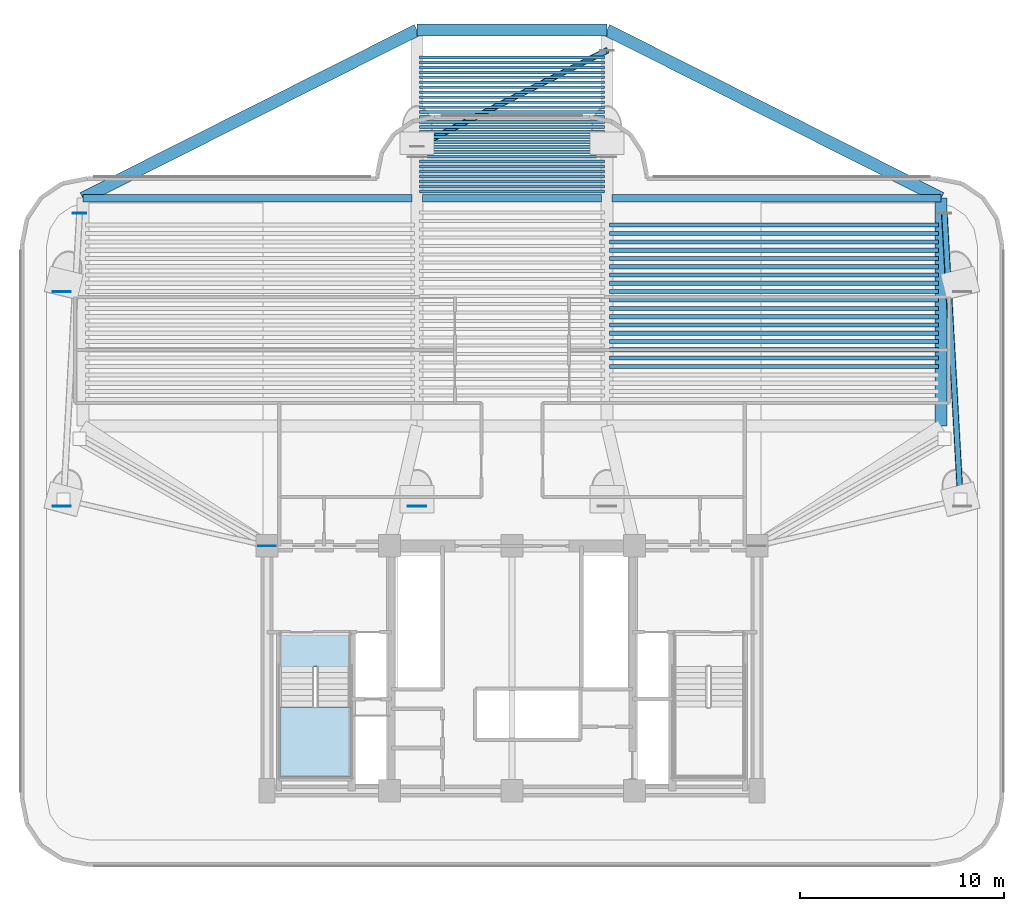
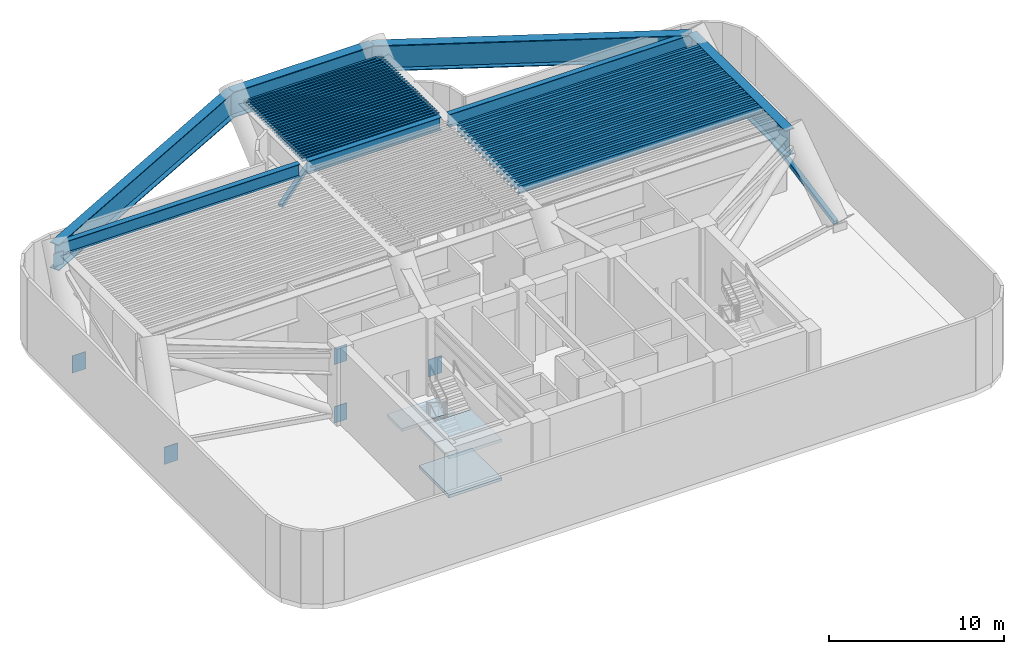
# One storey, part 2 of 11: 53 beams, 6 plates, 3 slabs, 2 members, 1 element without a shape of its own.
"""IFC4 building model written with IfcOpenShell, lengths in metres."""

import ifcopenshell
import ifcopenshell.guid

model = None  # the IFC model being written
_history = None  # IfcOwnerHistory: only IFC2X3 demands one
_inside = {}  # id of a spatial element -> (the spatial element, [elements in it])
_under = {}  # id of a project, library or spatial element -> (it, [spatial elements below it])
_declared = {}  # id of a project -> (the project, [libraries it declares])
_typed = {}  # id of a type object -> (the type object, [elements of that type])
_made_of = {}  # id of a material, layer set ... -> (it, [elements and type objects made of it])


def new_model(schema):
    """Start an empty IFC model of exactly this schema.

    Asked for "IFC4X3", IfcOpenShell would pick the latest addendum, in which some entities
    have other attributes; the version numbers below select the first issue.
    IFC2X3 requires an IfcOwnerHistory on every rooted entity: one is made here for all.
    """
    global model, _history
    if schema == "IFC4X3":
        model = ifcopenshell.file(schema_version=(4, 3, 0, 0))
    else:
        model = ifcopenshell.file(schema=schema)
    _inside.clear()
    _under.clear()
    _declared.clear()
    _typed.clear()
    _made_of.clear()
    _history = None
    if model.schema == "IFC2X3":
        org = make("IfcOrganization", Name="unknown")
        user = make(
            "IfcPersonAndOrganization",
            ThePerson=make("IfcPerson", FamilyName="unknown"),
            TheOrganization=org,
        )
        app = make(
            "IfcApplication",
            ApplicationDeveloper=org,
            Version="unknown",
            ApplicationFullName="unknown",
            ApplicationIdentifier="unknown",
        )
        _history = make(
            "IfcOwnerHistory",
            OwningUser=user,
            OwningApplication=app,
            ChangeAction="ADDED",
            CreationDate=0,
        )
    return model


def make(cls, **values):
    """One entity of the class cls with the attributes given. An attribute that is None is left unset."""
    return model.create_entity(
        cls, **{name: value for name, value in values.items() if value is not None}
    )


def rooted(cls, **values):
    """An entity with a GlobalId (a new one), such as an element, a storey or a relation."""
    return make(cls, GlobalId=ifcopenshell.guid.new(), OwnerHistory=_history, **values)


def si_unit(unit_type, name, prefix=None):
    """IfcSIUnit, for example si_unit("LENGTHUNIT", "METRE", prefix="MILLI")."""
    return make("IfcSIUnit", UnitType=unit_type, Prefix=prefix, Name=name)


def assignment(units):
    """IfcUnitAssignment: the units of a project."""
    return None if units is None else make("IfcUnitAssignment", Units=units)


def point(xyz):
    """IfcCartesianPoint."""
    return None if xyz is None else make("IfcCartesianPoint", Coordinates=xyz)


def direction(xyz):
    """IfcDirection."""
    return None if xyz is None else make("IfcDirection", DirectionRatios=xyz)


def frame(location, z_axis=None, x_axis=None):
    """IfcAxis2Placement3D, a coordinate frame: its origin and axes. An axis left out is left unset."""
    return make(
        "IfcAxis2Placement3D",
        Location=point(location),
        Axis=direction(z_axis),
        RefDirection=direction(x_axis),
    )


def frame_2d(location, x_axis=None):
    """IfcAxis2Placement2D, a coordinate frame in the plane: its origin and x axis."""
    return make(
        "IfcAxis2Placement2D", Location=point(location), RefDirection=direction(x_axis)
    )


def origin():
    """The frame at (0, 0, 0) with its axes left unset."""
    return frame((0.0, 0.0, 0.0))


def origin_2d():
    """The frame at (0, 0) in the plane with its x axis left unset."""
    return frame_2d((0.0, 0.0))


def place(relative_to, where):
    """IfcLocalPlacement: puts the frame where relative to a parent placement (None: the world)."""
    return make(
        "IfcLocalPlacement", PlacementRelTo=relative_to, RelativePlacement=where
    )


def context(
    kind, dimensions, precision=None, world=None, true_north=None, identifier=None
):
    """IfcGeometricRepresentationContext, for example the 3D "Model" context."""
    return make(
        "IfcGeometricRepresentationContext",
        ContextIdentifier=identifier,
        ContextType=kind,
        CoordinateSpaceDimension=dimensions,
        Precision=precision,
        WorldCoordinateSystem=world,
        TrueNorth=true_north,
    )


def subcontext(parent, identifier, kind, view, scale=None):
    """IfcGeometricRepresentationSubContext, for example "Body" below "Model"."""
    return make(
        "IfcGeometricRepresentationSubContext",
        ContextIdentifier=identifier,
        ContextType=kind,
        ParentContext=parent,
        TargetScale=scale,
        TargetView=view,
    )


def project(units=None, contexts=None):
    """IfcProject with its units and contexts."""
    return rooted(
        "IfcProject",
        Name="project",
        RepresentationContexts=contexts,
        UnitsInContext=assignment(units),
    )


def spatial(cls, under=None, at=None, **own):
    """A site, building, storey or space (cls), placed at a placement, below another one or the project."""
    s = rooted(cls, ObjectPlacement=at, **own)
    if under is not None:
        _under.setdefault(under.id(), (under, []))[1].append(s)
    return s


def polyline(points):
    """IfcPolyline through the points."""
    return make("IfcPolyline", Points=[point(p) for p in points])


def profile(cls, at=None, kind="AREA", **sizes):
    """A parametric profile (cls). Its sizes go by their IFC names, for example OverallWidth=200.0."""
    return make(cls, ProfileType=kind, Position=at, **sizes)


def rectangle(**sizes):
    """IfcRectangleProfileDef."""
    return profile("IfcRectangleProfileDef", **sizes)


def hollow_rectangle(**sizes):
    """IfcRectangleHollowProfileDef."""
    return profile("IfcRectangleHollowProfileDef", **sizes)


def i_section(**sizes):
    """IfcIShapeProfileDef."""
    return profile("IfcIShapeProfileDef", **sizes)


def outline(outer, holes=None, kind="AREA"):
    """IfcArbitraryClosedProfileDef: a profile drawn as a closed curve; with holes, ...WithVoids."""
    if holes is None:
        return make("IfcArbitraryClosedProfileDef", ProfileType=kind, OuterCurve=outer)
    return make(
        "IfcArbitraryProfileDefWithVoids",
        ProfileType=kind,
        OuterCurve=outer,
        InnerCurves=holes,
    )


def extrude(swept, where, along, depth):
    """IfcExtrudedAreaSolid: the profile swept, set in the frame where, extruded along a direction by depth."""
    return make(
        "IfcExtrudedAreaSolid",
        SweptArea=swept,
        Position=where,
        ExtrudedDirection=direction(along),
        Depth=depth,
    )


def shape(context_of_items, identifier, shape_type, items):
    """IfcShapeRepresentation: the items that make up one representation, for example the "Body"."""
    return make(
        "IfcShapeRepresentation",
        ContextOfItems=context_of_items,
        RepresentationIdentifier=identifier,
        RepresentationType=shape_type,
        Items=items,
    )


def source(mapping_origin, context_of_items, identifier, shape_type, items):
    """IfcRepresentationMap: a shape defined once, which mapped items show again and again."""
    return make(
        "IfcRepresentationMap",
        MappingOrigin=mapping_origin,
        MappedRepresentation=shape(context_of_items, identifier, shape_type, items),
    )


def transform(
    local_origin,
    x_axis=None,
    y_axis=None,
    z_axis=None,
    scale=None,
    scale2=None,
    scale3=None,
    uniform=True,
):
    """IfcCartesianTransformationOperator3D, or its non-uniform kind. x_axis, y_axis, z_axis: its Axis1, 2, 3."""
    if uniform:
        return make(
            "IfcCartesianTransformationOperator3D",
            Axis1=direction(x_axis),
            Axis2=direction(y_axis),
            LocalOrigin=point(local_origin),
            Scale=scale,
            Axis3=direction(z_axis),
        )
    return make(
        "IfcCartesianTransformationOperator3DnonUniform",
        Axis1=direction(x_axis),
        Axis2=direction(y_axis),
        LocalOrigin=point(local_origin),
        Scale=scale,
        Axis3=direction(z_axis),
        Scale2=scale2,
        Scale3=scale3,
    )


def mapped(mapping_source, mapping_target):
    """IfcMappedItem: shows the shape of a source again, moved by a transform."""
    return make(
        "IfcMappedItem", MappingSource=mapping_source, MappingTarget=mapping_target
    )


def material(Name=None, Category=None):
    """IfcMaterial."""
    return make("IfcMaterial", Name=Name, Category=Category)


def layer(
    of_material, thickness, ventilated=None, Name=None, Category=None, Priority=None
):
    """IfcMaterialLayer: one layer of a wall or slab, of a material (None: an air gap)."""
    return make(
        "IfcMaterialLayer",
        Material=of_material,
        LayerThickness=thickness,
        IsVentilated=ventilated,
        Name=Name,
        Category=Category,
        Priority=Priority,
    )


def layer_set(layers, Name=None):
    """IfcMaterialLayerSet."""
    return make("IfcMaterialLayerSet", MaterialLayers=layers, LayerSetName=Name)


def material_profile(
    of_material, cross_section, Name=None, Category=None, Priority=None
):
    """IfcMaterialProfile: a cross section and its material."""
    return make(
        "IfcMaterialProfile",
        Name=Name,
        Material=of_material,
        Profile=cross_section,
        Priority=Priority,
        Category=Category,
    )


def profile_set(profiles, Name=None, composite=None):
    """IfcMaterialProfileSet."""
    return make(
        "IfcMaterialProfileSet",
        Name=Name,
        MaterialProfiles=profiles,
        CompositeProfile=composite,
    )


def made_of(thing, what):
    """Note that an element or type object is made of a material, layer set ...; save() writes the relation."""
    if what is not None:
        _made_of.setdefault(what.id(), (what, []))[1].append(thing)
    return thing


def type_object(cls, material=None, **own):
    """A type object (cls), such as IfcWallType, which elements share."""
    return made_of(rooted(cls, **own), material)


def element(
    cls,
    number,
    at=None,
    inside=None,
    cuts=None,
    type_object=None,
    material=None,
    context=None,
    identifier="Body",
    shape_type=None,
    held_by="IfcProductDefinitionShape",
    body=None,
    shapes=None,
    **own,
):
    """One element of the class cls, such as IfcWall. Its Tag is "e" and its number.

    at: its placement. inside: the storey or other place that contains it. cuts: it is an
    opening in that element (IfcRelVoidsElement). A single representation is given by context,
    identifier, shape_type and body (its items); several are given by shapes. held_by: the class
    of the entity that holds the representations. save() writes the other relations.
    """
    e = rooted(cls, Tag="e%d" % number, ObjectPlacement=at, **own)
    if body is not None:
        shapes = [shape(context, identifier, shape_type, body)]
    if shapes is not None:
        e.Representation = make(held_by, Representations=shapes)
    if inside is not None:
        _inside.setdefault(inside.id(), (inside, []))[1].append(e)
    if cuts is not None:
        rooted(
            "IfcRelVoidsElement", RelatingBuildingElement=cuts, RelatedOpeningElement=e
        )
    if type_object is not None:
        _typed.setdefault(type_object.id(), (type_object, []))[1].append(e)
    return made_of(e, material)


def aggregate(whole, parts):
    """IfcRelAggregates: a whole, such as a stair, and the parts it consists of."""
    return rooted("IfcRelAggregates", RelatingObject=whole, RelatedObjects=parts)


def save(model, path):
    """Write the relations noted so far, then the file.

    IfcRelAggregates (storeys below a building ...), IfcRelContainedInSpatialStructure (elements
    in a storey), IfcRelDefinesByType, IfcRelAssociatesMaterial and IfcRelDeclares: one each for
    every whole, place, type object, material and project.
    """
    for whole, parts in _under.values():
        aggregate(whole, parts)
    for where, things in _inside.values():
        rooted(
            "IfcRelContainedInSpatialStructure",
            RelatedElements=things,
            RelatingStructure=where,
        )
    for kind, things in _typed.values():
        rooted("IfcRelDefinesByType", RelatedObjects=things, RelatingType=kind)
    for what, things in _made_of.values():
        rooted("IfcRelAssociatesMaterial", RelatedObjects=things, RelatingMaterial=what)
    for by, libraries in _declared.values():
        rooted("IfcRelDeclares", RelatingContext=by, RelatedDefinitions=libraries)
    model.write(path)


model = new_model("IFC4")

# Units and contexts
model_context = context("Model", 3, precision=1e-05, world=origin(), true_north=direction((0.0, 1.0)))
body_context = subcontext(model_context, "Body", "Model", "MODEL_VIEW")
ifc_project = project(units=[si_unit("LENGTHUNIT", "METRE"), si_unit("AREAUNIT", "SQUARE_METRE"), si_unit("VOLUMEUNIT", "CUBIC_METRE"), si_unit("PLANEANGLEUNIT", "RADIAN"), si_unit("MASSUNIT", "GRAM", prefix="KILO")], contexts=[model_context])

# Site, building, storey
site_placement = place(None, origin())
site = spatial("IfcSite", under=ifc_project, at=site_placement, CompositionType="ELEMENT")
building_placement = place(site_placement, origin())
building = spatial("IfcBuilding", under=site, at=building_placement, Name="Brelvock Crest Care Tower", CompositionType="ELEMENT")
storey_placement = place(building_placement, frame((0.0, 0.0, 79.919921875)))
storey = spatial("IfcBuildingStorey", under=building, at=storey_placement, Name="L20", CompositionType="ELEMENT", Elevation=79.919921875)

# Beams
ifc_material_1 = material(Name="Steel Grade 350", Category="steel")
ifc_material_profile_1 = material_profile(ifc_material_1, i_section(OverallWidth=0.60009765625, OverallDepth=1.800048828125, WebThickness=0.028076171875, FlangeThickness=0.052001953125, at=origin_2d()), Name="1800TG740")
ifc_profile_set_1 = profile_set([ifc_material_profile_1], Name="Steel Grade 350")
beam_type_1 = type_object("IfcBeamType", Name="BM-TG1", PredefinedType="USERDEFINED", material=ifc_profile_set_1)
shared_shape_1 = source(origin(), body_context, "Body", "SweptSolid", [
    extrude(i_section(OverallWidth=0.60009765625, OverallDepth=1.800048828125, WebThickness=0.028076171875, FlangeThickness=0.052001953125, at=origin_2d()), origin(), (0.0, 0.0, 1.0), 9.2998046875),
])
beam_1_placement = place(storey_placement, frame((31.35009765625, 43.268310546875, 4.18017578125), z_axis=(1.0, 0.0, 0.0), x_axis=(0.0, 1.0, 0.0)))
element("IfcBeam", 1, at=beam_1_placement, inside=storey, type_object=beam_type_1, Name="BM-TWR-L20-08", ObjectType="GIRDER", PredefinedType="USERDEFINED", context=body_context, shape_type="MappedRepresentation", body=[
    mapped(shared_shape_1, transform((0.0, 0.0, 0.0), x_axis=(1.0, 0.0, 0.0), y_axis=(0.0, 1.0, 0.0), z_axis=(0.0, 0.0, 1.0), scale=1.0)),
])
ifc_material_profile_2 = material_profile(ifc_material_1, i_section(OverallWidth=0.14599609375, OverallDepth=0.256103515625, WebThickness=0.00634765625, FlangeThickness=0.010986328125, FilletRadius=0.0087890625, at=origin_2d()), Name="250UB37.3")
ifc_profile_set_2 = profile_set([ifc_material_profile_2], Name="Steel Grade 350")
beam_type_2 = type_object("IfcBeamType", Name="BM-J3", PredefinedType="JOIST", material=ifc_profile_set_2)
shared_shape_2 = source(origin(), body_context, "Body", "SweptSolid", [
    extrude(i_section(OverallWidth=0.14599609375, OverallDepth=0.256103515625, WebThickness=0.00634765625, FlangeThickness=0.010986328125, FilletRadius=0.0087890625, at=origin_2d()), origin(), (0.0, 0.0, 1.0), 9.06982421875),
])
for number, where, z_axis, x_axis, name in (
    (2, (31.465087890625, 35.361328125, 4.9521484375), (1.0, 0.0, 0.0), (0.0, 1.0, 0.0), "BM-JN-L20-1"),
    (3, (31.465087890625, 35.604248046875, 4.9521484375), (1.0, 0.0, 0.0), (0.0, 1.0, 0.0), "BM-JN-L20-2"),
    (4, (31.465087890625, 35.84716796875, 4.9521484375), (1.0, 0.0, 0.0), (0.0, 1.0, 0.0), "BM-JN-L20-3"),
    (5, (31.465087890625, 36.090087890625, 4.9521484375), (1.0, 0.0, 0.0), (0.0, 1.0, 0.0), "BM-JN-L20-4"),
    (6, (31.465087890625, 36.333251953125, 4.9521484375), (1.0, 0.0, 0.0), (0.0, 1.0, 0.0), "BM-JN-L20-5"),
    (7, (31.465087890625, 36.576171875, 4.9521484375), (1.0, 0.0, 0.0), (0.0, 1.0, 0.0), "BM-JN-L20-6"),
    (8, (31.465087890625, 36.819091796875, 4.9521484375), (1.0, 0.0, 0.0), (0.0, 1.0, 0.0), "BM-JN-L20-7"),
    (9, (31.465087890625, 37.06201171875, 4.9521484375), (1.0, 0.0, 0.0), (0.0, 1.0, 0.0), "BM-JN-L20-8"),
    (10, (31.465087890625, 37.304931640625, 4.9521484375), (1.0, 0.0, 0.0), (0.0, 1.0, 0.0), "BM-JN-L20-9"),
    (11, (31.465087890625, 37.548095703125, 4.9521484375), (1.0, 0.0, 0.0), (0.0, 1.0, 0.0), "BM-JN-L20-10"),
    (12, (31.465087890625, 37.791015625, 4.9521484375), (1.0, 0.0, 0.0), (0.0, 1.0, 0.0), "BM-JN-L20-11"),
    (13, (31.465087890625, 38.033935546875, 4.9521484375), (1.0, 0.0, 0.0), (0.0, 1.0, 0.0), "BM-JN-L20-12"),
    (14, (31.465087890625, 38.27685546875, 4.9521484375), (1.0, 0.0, 0.0), (0.0, 1.0, 0.0), "BM-JN-L20-13"),
):
    element("IfcBeam", number, at=place(storey_placement, frame(where, z_axis=z_axis, x_axis=x_axis)), inside=storey, type_object=beam_type_2, Name=name, PredefinedType="JOIST", context=body_context, shape_type="MappedRepresentation", body=[
        mapped(shared_shape_2, transform((0.0, 0.0, 0.0), x_axis=(1.0, 0.0, 0.0), y_axis=(0.0, 1.0, 0.0), z_axis=(0.0, 0.0, 1.0), scale=1.0)),
    ])
ifc_material_profile_3 = material_profile(ifc_material_1, i_section(OverallWidth=0.134033203125, OverallDepth=0.20703125, WebThickness=0.00634765625, FlangeThickness=0.009521484375, FilletRadius=0.0087890625, at=origin_2d()), Name="200UB29.8")
ifc_profile_set_3 = profile_set([ifc_material_profile_3], Name="Steel Grade 350")
beam_type_3 = type_object("IfcBeamType", Name="BM-J4", PredefinedType="JOIST", material=ifc_profile_set_3)
shared_shape_3 = source(origin(), body_context, "Body", "SweptSolid", [
    extrude(i_section(OverallWidth=0.134033203125, OverallDepth=0.20703125, WebThickness=0.00634765625, FlangeThickness=0.009521484375, FilletRadius=0.0087890625, at=origin_2d()), origin(), (0.0, 0.0, 1.0), 9.06982421875),
])
for number, where, z_axis, x_axis, name in (
    (15, (31.465087890625, 38.52001953125, 4.9765625), (1.0, 0.0, 0.0), (0.0, 1.0, 0.0), "BM-JN-L20-14"),
    (16, (31.465087890625, 38.762939453125, 4.9765625), (1.0, 0.0, 0.0), (0.0, 1.0, 0.0), "BM-JN-L20-15"),
    (17, (31.465087890625, 39.005859375, 4.9765625), (1.0, 0.0, 0.0), (0.0, 1.0, 0.0), "BM-JN-L20-16"),
    (18, (31.465087890625, 39.248779296875, 4.9765625), (1.0, 0.0, 0.0), (0.0, 1.0, 0.0), "BM-JN-L20-17"),
    (19, (31.465087890625, 39.49169921875, 4.9765625), (1.0, 0.0, 0.0), (0.0, 1.0, 0.0), "BM-JN-L20-18"),
    (20, (31.465087890625, 39.73486328125, 4.9765625), (1.0, 0.0, 0.0), (0.0, 1.0, 0.0), "BM-JN-L20-19"),
    (21, (31.465087890625, 39.977783203125, 4.9765625), (1.0, 0.0, 0.0), (0.0, 1.0, 0.0), "BM-JN-L20-20"),
    (22, (31.465087890625, 40.220703125, 4.9765625), (1.0, 0.0, 0.0), (0.0, 1.0, 0.0), "BM-JN-L20-21"),
    (23, (31.465087890625, 40.463623046875, 4.9765625), (1.0, 0.0, 0.0), (0.0, 1.0, 0.0), "BM-JN-L20-22"),
    (24, (31.465087890625, 40.706787109375, 4.9765625), (1.0, 0.0, 0.0), (0.0, 1.0, 0.0), "BM-JN-L20-23"),
    (25, (31.465087890625, 40.94970703125, 4.9765625), (1.0, 0.0, 0.0), (0.0, 1.0, 0.0), "BM-JN-L20-24"),
    (26, (31.465087890625, 41.192626953125, 4.9765625), (1.0, 0.0, 0.0), (0.0, 1.0, 0.0), "BM-JN-L20-25"),
    (27, (31.465087890625, 41.435546875, 4.9765625), (1.0, 0.0, 0.0), (0.0, 1.0, 0.0), "BM-JN-L20-26"),
    (28, (31.465087890625, 41.6787109375, 4.9765625), (1.0, 0.0, 0.0), (0.0, 1.0, 0.0), "BM-JN-L20-27"),
    (29, (31.465087890625, 41.92138671875, 4.9765625), (1.0, 0.0, 0.0), (0.0, 1.0, 0.0), "BM-JN-L20-28"),
):
    element("IfcBeam", number, at=place(storey_placement, frame(where, z_axis=z_axis, x_axis=x_axis)), inside=storey, type_object=beam_type_3, Name=name, PredefinedType="JOIST", context=body_context, shape_type="MappedRepresentation", body=[
        mapped(shared_shape_3, transform((0.0, 0.0, 0.0), x_axis=(1.0, 0.0, 0.0), y_axis=(0.0, 1.0, 0.0), z_axis=(0.0, 0.0, 1.0), scale=1.0)),
    ])
ifc_material_profile_4 = material_profile(ifc_material_1, i_section(OverallWidth=0.35009765625, OverallDepth=0.89990234375, WebThickness=0.01611328125, FlangeThickness=0.028076171875, at=origin_2d()), Name="900WB257")
ifc_profile_set_4 = profile_set([ifc_material_profile_4], Name="Steel Grade 350")
beam_type_4 = type_object("IfcBeamType", Name="BM-G6", PredefinedType="BEAM", material=ifc_profile_set_4)
shared_shape_4 = source(origin(), body_context, "Body", "SweptSolid", [
    extrude(i_section(OverallWidth=0.35009765625, OverallDepth=0.89990234375, WebThickness=0.01611328125, FlangeThickness=0.028076171875, at=origin_2d()), origin(), (0.0, 0.0, 1.0), 8.77978515625),
])
beam_2_placement = place(storey_placement, frame((31.610107421875, 35.03173828125, 4.630126953125), z_axis=(1.0, 0.0, 0.0), x_axis=(0.0, 1.0, 0.0)))
element("IfcBeam", 30, at=beam_2_placement, inside=storey, type_object=beam_type_4, Name="BM-TIE-L20-C", PredefinedType="BEAM", context=body_context, shape_type="MappedRepresentation", body=[
    mapped(shared_shape_4, transform((0.0, 0.0, 0.0), x_axis=(1.0, 0.0, 0.0), y_axis=(0.0, 1.0, 0.0), z_axis=(0.0, 0.0, 1.0), scale=1.0)),
])
shared_shape_5 = source(origin(), body_context, "Body", "SweptSolid", [
    extrude(i_section(OverallWidth=0.60009765625, OverallDepth=1.800048828125, WebThickness=0.028076171875, FlangeThickness=0.052001953125, at=origin_2d()), origin(), (0.0, 0.0, 1.0), 11.154541015625),
])
beam_3_placement = place(storey_placement, frame((57.013671875, 23.877197265625, 4.18017578125), z_axis=(0.0, 1.0, 0.0), x_axis=(-1.0, 0.0, 0.0)))
element("IfcBeam", 31, at=beam_3_placement, inside=storey, type_object=beam_type_1, Name="BM-TWR-L20-02", ObjectType="GIRDER", PredefinedType="USERDEFINED", context=body_context, shape_type="MappedRepresentation", body=[
    mapped(shared_shape_5, transform((0.0, 0.0, 0.0), x_axis=(1.0, 0.0, 0.0), y_axis=(0.0, 1.0, 0.0), z_axis=(0.0, 0.0, 1.0), scale=1.0)),
])
shared_shape_6 = source(origin(), body_context, "Body", "SweptSolid", [
    extrude(i_section(OverallWidth=0.60009765625, OverallDepth=1.800048828125, WebThickness=0.028076171875, FlangeThickness=0.052001953125, at=origin_2d()), origin(), (0.0, 0.0, 1.0), 18.31982421875),
])
for number, where, z_axis, x_axis, name in (
    (32, (14.986328125, 35.03173828125, 4.18017578125), (0.893229937802, 0.449600131466, 0.0), (-0.449600131466, 0.893229937802, 0.0), "BM-TWR-L20-06"),
    (33, (40.64990234375, 43.268310546875, 4.18017578125), (0.893229937802, -0.449600131466, 0.0), (0.449600131466, 0.893229937802, 0.0), "BM-TWR-L20-07"),
):
    element("IfcBeam", number, at=place(storey_placement, frame(where, z_axis=z_axis, x_axis=x_axis)), inside=storey, type_object=beam_type_1, Name=name, ObjectType="GIRDER", PredefinedType="USERDEFINED", context=body_context, shape_type="MappedRepresentation", body=[
        mapped(shared_shape_6, transform((0.0, 0.0, 0.0), x_axis=(1.0, 0.0, 0.0), y_axis=(0.0, 1.0, 0.0), z_axis=(0.0, 0.0, 1.0), scale=1.0)),
    ])
shared_shape_7 = source(origin(), body_context, "Body", "SweptSolid", [
    extrude(i_section(OverallWidth=0.35009765625, OverallDepth=0.89990234375, WebThickness=0.01611328125, FlangeThickness=0.028076171875, at=origin_2d()), origin(), (0.0, 0.0, 1.0), 16.103759765625),
])
for number, where, z_axis, x_axis, name in (
    (34, (14.986328125, 35.03173828125, 4.630126953125), (1.0, 0.0, 0.0), (0.0, 1.0, 0.0), "BM-TIE-L20-W"),
    (35, (40.909912109375, 35.03173828125, 4.630126953125), (1.0, 0.0, 0.0), (0.0, 1.0, 0.0), "BM-TIE-L20-E"),
):
    element("IfcBeam", number, at=place(storey_placement, frame(where, z_axis=z_axis, x_axis=x_axis)), inside=storey, type_object=beam_type_4, Name=name, PredefinedType="BEAM", context=body_context, shape_type="MappedRepresentation", body=[
        mapped(shared_shape_7, transform((0.0, 0.0, 0.0), x_axis=(1.0, 0.0, 0.0), y_axis=(0.0, 1.0, 0.0), z_axis=(0.0, 0.0, 1.0), scale=1.0)),
    ])
ifc_material_profile_5 = material_profile(ifc_material_1, i_section(OverallWidth=0.208984375, OverallDepth=0.532958984375, WebThickness=0.01025390625, FlangeThickness=0.015625, FilletRadius=0.013916015625, at=origin_2d()), Name="530UB92.4")
ifc_profile_set_5 = profile_set([ifc_material_profile_5], Name="Steel Grade 350")
beam_type_5 = type_object("IfcBeamType", Name="BM-G2", PredefinedType="BEAM", material=ifc_profile_set_5)
shared_shape_8 = source(origin(), body_context, "Body", "SweptSolid", [
    extrude(i_section(OverallWidth=0.208984375, OverallDepth=0.532958984375, WebThickness=0.01025390625, FlangeThickness=0.015625, FilletRadius=0.013916015625, at=origin_2d()), origin(), (0.0, 0.0, 1.0), 16.1337890625),
])
for number, where, z_axis, x_axis, name in (
    (36, (40.764892578125, 26.78857421875, 4.8134765625), (1.0, 0.0, 0.0), (0.0, 1.0, 0.0), "BM-JE-L20-7"),
    (37, (40.764892578125, 27.602783203125, 4.8134765625), (1.0, 0.0, 0.0), (0.0, 1.0, 0.0), "BM-JE-L20-9"),
    (38, (40.764892578125, 28.417236328125, 4.8134765625), (1.0, 0.0, 0.0), (0.0, 1.0, 0.0), "BM-JE-L20-11"),
    (39, (40.764892578125, 29.2314453125, 4.8134765625), (1.0, 0.0, 0.0), (0.0, 1.0, 0.0), "BM-JE-L20-13"),
    (40, (40.764892578125, 30.045654296875, 4.8134765625), (1.0, 0.0, 0.0), (0.0, 1.0, 0.0), "BM-JE-L20-15"),
    (41, (40.764892578125, 30.860107421875, 4.8134765625), (1.0, 0.0, 0.0), (0.0, 1.0, 0.0), "BM-JE-L20-17"),
    (42, (40.764892578125, 31.67431640625, 4.8134765625), (1.0, 0.0, 0.0), (0.0, 1.0, 0.0), "BM-JE-L20-19"),
    (43, (40.764892578125, 32.488525390625, 4.8134765625), (1.0, 0.0, 0.0), (0.0, 1.0, 0.0), "BM-JE-L20-21"),
    (44, (40.764892578125, 33.302978515625, 4.8134765625), (1.0, 0.0, 0.0), (0.0, 1.0, 0.0), "BM-JE-L20-23"),
):
    element("IfcBeam", number, at=place(storey_placement, frame(where, z_axis=z_axis, x_axis=x_axis)), inside=storey, type_object=beam_type_5, Name=name, PredefinedType="BEAM", context=body_context, shape_type="MappedRepresentation", body=[
        mapped(shared_shape_8, transform((0.0, 0.0, 0.0), x_axis=(1.0, 0.0, 0.0), y_axis=(0.0, 1.0, 0.0), z_axis=(0.0, 0.0, 1.0), scale=1.0)),
    ])
ifc_material_profile_6 = material_profile(ifc_material_1, i_section(OverallWidth=0.19091796875, OverallDepth=0.4599609375, WebThickness=0.010009765625, FlangeThickness=0.01611328125, FilletRadius=0.011474609375, at=origin_2d()), Name="460UB82.1")
ifc_profile_set_6 = profile_set([ifc_material_profile_6], Name="Steel Grade 350")
beam_type_6 = type_object("IfcBeamType", Name="BM-G3", PredefinedType="BEAM", material=ifc_profile_set_6)
shared_shape_9 = source(origin(), body_context, "Body", "SweptSolid", [
    extrude(i_section(OverallWidth=0.19091796875, OverallDepth=0.4599609375, WebThickness=0.010009765625, FlangeThickness=0.01611328125, FilletRadius=0.011474609375, at=origin_2d()), origin(), (0.0, 0.0, 1.0), 16.1337890625),
])
for number, where, z_axis, x_axis, name in (
    (45, (40.764892578125, 27.19580078125, 4.85009765625), (1.0, 0.0, 0.0), (0.0, 1.0, 0.0), "BM-JE-L20-8"),
    (46, (40.764892578125, 28.010009765625, 4.85009765625), (1.0, 0.0, 0.0), (0.0, 1.0, 0.0), "BM-JE-L20-10"),
    (47, (40.764892578125, 28.82421875, 4.85009765625), (1.0, 0.0, 0.0), (0.0, 1.0, 0.0), "BM-JE-L20-12"),
    (48, (40.764892578125, 29.638671875, 4.85009765625), (1.0, 0.0, 0.0), (0.0, 1.0, 0.0), "BM-JE-L20-14"),
    (49, (40.764892578125, 30.452880859375, 4.85009765625), (1.0, 0.0, 0.0), (0.0, 1.0, 0.0), "BM-JE-L20-16"),
    (50, (40.764892578125, 31.26708984375, 4.85009765625), (1.0, 0.0, 0.0), (0.0, 1.0, 0.0), "BM-JE-L20-18"),
    (51, (40.764892578125, 32.081298828125, 4.85009765625), (1.0, 0.0, 0.0), (0.0, 1.0, 0.0), "BM-JE-L20-20"),
    (52, (40.764892578125, 32.895751953125, 4.85009765625), (1.0, 0.0, 0.0), (0.0, 1.0, 0.0), "BM-JE-L20-22"),
    (53, (40.764892578125, 33.7099609375, 4.85009765625), (1.0, 0.0, 0.0), (0.0, 1.0, 0.0), "BM-JE-L20-24"),
):
    element("IfcBeam", number, at=place(storey_placement, frame(where, z_axis=z_axis, x_axis=x_axis)), inside=storey, type_object=beam_type_6, Name=name, PredefinedType="BEAM", context=body_context, shape_type="MappedRepresentation", body=[
        mapped(shared_shape_9, transform((0.0, 0.0, 0.0), x_axis=(1.0, 0.0, 0.0), y_axis=(0.0, 1.0, 0.0), z_axis=(0.0, 0.0, 1.0), scale=1.0)),
    ])

# Members
ifc_material_profile_7 = material_profile(ifc_material_1, hollow_rectangle(XDim=0.300048828125, YDim=0.300048828125, WallThickness=0.01611328125, OuterFilletRadius=0.031982421875, at=origin_2d()), Name="SHS300x300x16.0")
ifc_profile_set_7 = profile_set([ifc_material_profile_7], Name="Steel Grade 350")
member_type = type_object("IfcMemberType", Name="MEM-BR4", PredefinedType="BRACE", material=ifc_profile_set_7)
shared_shape_10 = source(origin(), body_context, "Body", "SweptSolid", [
    extrude(hollow_rectangle(XDim=0.300048828125, YDim=0.300048828125, WallThickness=0.01611328125, OuterFilletRadius=0.031982421875, at=origin_2d()), origin(), (0.0, 0.0, 1.0), 14.619140625),
])
member_1_placement = place(storey_placement, frame((57.963623046875, 20.27734375, 0.4501953125), z_axis=(-0.053557480995, 0.958774100835, 0.27907672744), x_axis=(-0.998443451066, -0.055773425782, 0.0)))
element("IfcMember", 54, at=member_1_placement, inside=storey, type_object=member_type, Name="L20 Belt Truss Brace BE-1", PredefinedType="BRACE", context=body_context, shape_type="MappedRepresentation", body=[
    mapped(shared_shape_10, transform((0.0, 0.0, 0.0), x_axis=(1.0, 0.0, 0.0), y_axis=(0.0, 1.0, 0.0), z_axis=(0.0, 0.0, 1.0), scale=1.0)),
])
shared_shape_11 = source(origin(), body_context, "Body", "SweptSolid", [
    extrude(hollow_rectangle(XDim=0.300048828125, YDim=0.300048828125, WallThickness=0.01611328125, OuterFilletRadius=0.031982421875, at=origin_2d()), origin(), (0.0, 0.0, 1.0), 11.189453125),
])
member_2_placement = place(storey_placement, frame((31.35009765625, 37.568115234375, 0.4501953125), z_axis=(0.831118938038, 0.419879576909, 0.364612742139), x_axis=(-0.450921340309, 0.892563692323, 0.0)))
element("IfcMember", 55, at=member_2_placement, inside=storey, type_object=member_type, Name="L20 Belt Truss Brace BN-1", PredefinedType="BRACE", context=body_context, shape_type="MappedRepresentation", body=[
    mapped(shared_shape_11, transform((0.0, 0.0, 0.0), x_axis=(1.0, 0.0, 0.0), y_axis=(0.0, 1.0, 0.0), z_axis=(0.0, 0.0, 1.0), scale=1.0)),
])

# Stair, slabs
ifc_material_2 = material(Name="Concrete N40 (40 MPa)", Category="concrete")
stair_type = type_object("IfcStairType", Name="ST-CORE1", PredefinedType="HALF_TURN_STAIR", material=ifc_material_2)
stair_placement = place(storey_placement, origin())
stair = element("IfcStair", 56, at=stair_placement, inside=storey, type_object=stair_type, Name="L20 Fire-Isolated Core Stair ST-1", PredefinedType="HALF_TURN_STAIR")
ifc_layer = layer(ifc_material_2, 0.199951171875, Name="STL-1")
ifc_layer_set = layer_set([ifc_layer], Name="Concrete N40 (40 MPa)")
slab_type = type_object("IfcSlabType", Name="STL-1", PredefinedType="LANDING", material=ifc_layer_set)
slab_1_placement = place(storey_placement, frame((0.0, 0.0, 1.150146484375)))
slab_1 = element("IfcSlab", 57, at=slab_1_placement, type_object=slab_type, Name="ST-1 landing 1", PredefinedType="LANDING", context=body_context, shape_type="SweptSolid", body=[
    extrude(outline(polyline([(24.6298828125, 10.1201171875), (24.6298828125, 6.699951171875), (28.110107421875, 6.699951171875), (28.110107421875, 10.1201171875), (24.6298828125, 10.1201171875)])), origin(), (0.0, 0.0, 1.0), 0.199951171875),
])
slab_2_placement = place(storey_placement, frame((0.0, 0.0, 2.5)))
slab_2 = element("IfcSlab", 58, at=slab_2_placement, type_object=slab_type, Name="ST-1 landing 2", PredefinedType="LANDING", context=body_context, shape_type="SweptSolid", body=[
    extrude(outline(polyline([(24.6298828125, 13.780029296875), (24.6298828125, 12.080078125), (28.110107421875, 12.080078125), (28.110107421875, 13.780029296875), (24.6298828125, 13.780029296875)])), origin(), (0.0, 0.0, 1.0), 0.2001953125),
])
slab_3_placement = place(storey_placement, frame((0.0, 0.0, 3.85009765625)))
slab_3 = element("IfcSlab", 59, at=slab_3_placement, type_object=slab_type, Name="ST-1 landing 3", PredefinedType="LANDING", context=body_context, shape_type="SweptSolid", body=[
    extrude(outline(polyline([(24.6298828125, 10.1201171875), (24.6298828125, 6.699951171875), (28.110107421875, 6.699951171875), (28.110107421875, 10.1201171875), (24.6298828125, 10.1201171875)])), origin(), (0.0, 0.0, 1.0), 0.199951171875),
])
aggregate(stair, [slab_1, slab_2, slab_3])

# Plates
plate_type_1 = type_object("IfcPlateType", Name="PLT-KN1", PredefinedType="USERDEFINED", material=ifc_material_1)
shared_shape_12 = source(origin(), body_context, "Body", "SweptSolid", [
    extrude(rectangle(XDim=0.89990234375, YDim=0.0400390625, at=origin_2d()), origin(), (0.0, 0.0, 1.0), 1.199951171875),
])
for number, where, z_axis, x_axis, name in (
    (60, (13.949951171875, 19.949951171875, -0.64990234375), (0.0, 0.0, 1.0), (1.0, 0.0, 0.0), "PLT-KINK-L20-01"),
    (61, (13.949951171875, 30.449951171875, -0.64990234375), (0.0, 0.0, 1.0), (1.0, 0.0, 0.0), "PLT-KINK-L20-02"),
    (62, (31.35009765625, 19.949951171875, -0.64990234375), (0.0, 0.0, 1.0), (1.0, 0.0, 0.0), "PLT-KINK-L20-05"),
):
    element("IfcPlate", number, at=place(storey_placement, frame(where, z_axis=z_axis, x_axis=x_axis)), inside=storey, type_object=plate_type_1, Name=name, ObjectType="GUSSET", PredefinedType="USERDEFINED", context=body_context, shape_type="MappedRepresentation", body=[
        mapped(shared_shape_12, transform((0.0, 0.0, 0.0), x_axis=(1.0, 0.0, 0.0), y_axis=(0.0, 1.0, 0.0), z_axis=(0.0, 0.0, 1.0), scale=1.0)),
    ])
plate_type_2 = type_object("IfcPlateType", Name="PLT-ON1", PredefinedType="USERDEFINED", material=ifc_material_1)
shared_shape_13 = source(origin(), body_context, "Body", "SweptSolid", [
    extrude(rectangle(XDim=0.85009765625, YDim=0.035888671875, at=origin_2d()), origin(), (0.0, 0.0, 1.0), 1.14990234375),
])
for number, where, z_axis, x_axis, name in (
    (63, (24.0, 18.0, -0.124755859375), (0.0, 0.0, 1.0), (1.0, 0.0, 0.0), "PLT-OT-L20-W1-CB"),
    (64, (24.0, 18.0, 3.955078125), (0.0, 0.0, 1.0), (1.0, 0.0, 0.0), "PLT-OT-L20-W1-CT"),
):
    element("IfcPlate", number, at=place(storey_placement, frame(where, z_axis=z_axis, x_axis=x_axis)), inside=storey, type_object=plate_type_2, Name=name, ObjectType="GUSSET", PredefinedType="USERDEFINED", context=body_context, shape_type="MappedRepresentation", body=[
        mapped(shared_shape_13, transform((0.0, 0.0, 0.0), x_axis=(1.0, 0.0, 0.0), y_axis=(0.0, 1.0, 0.0), z_axis=(0.0, 0.0, 1.0), scale=1.0)),
    ])
plate_type_3 = type_object("IfcPlateType", Name="PLT-BN1", PredefinedType="USERDEFINED", material=ifc_material_1)
shared_shape_14 = source(origin(), body_context, "Body", "SweptSolid", [
    extrude(rectangle(XDim=0.64990234375, YDim=0.028076171875, at=origin_2d()), origin(), (0.0, 0.0, 1.0), 0.89990234375),
])
plate_placement = place(storey_placement, frame((14.8193359375, 34.293701171875, 4.080078125), z_axis=(0.0, 0.0, 1.0), x_axis=(1.0, 0.0, 0.0)))
element("IfcPlate", 65, at=plate_placement, inside=storey, type_object=plate_type_3, Name="PLT-BT-L20-BW", ObjectType="GUSSET", PredefinedType="USERDEFINED", context=body_context, shape_type="MappedRepresentation", body=[
    mapped(shared_shape_14, transform((0.0, 0.0, 0.0), x_axis=(1.0, 0.0, 0.0), y_axis=(0.0, 1.0, 0.0), z_axis=(0.0, 0.0, 1.0), scale=1.0)),
])

save(model, "model.ifc")
